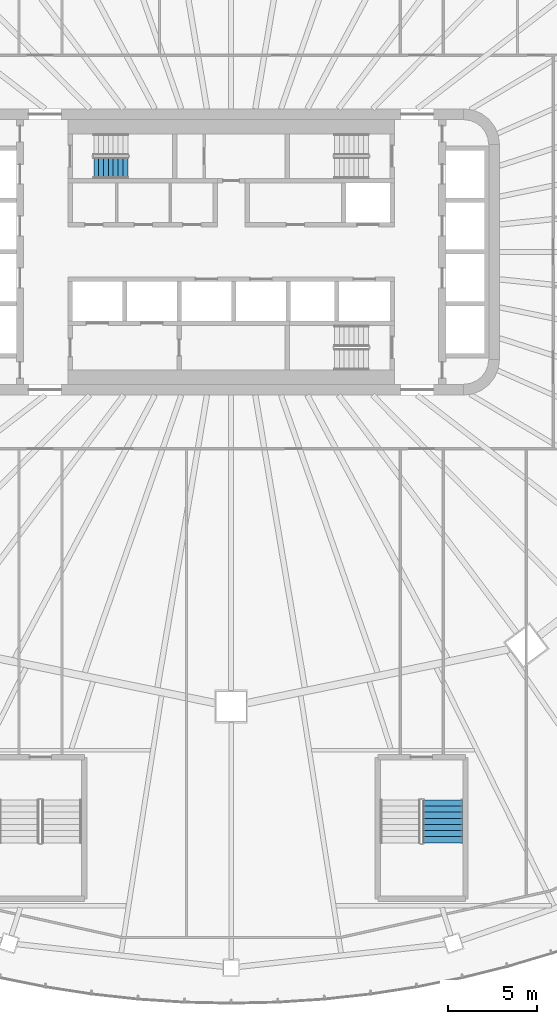
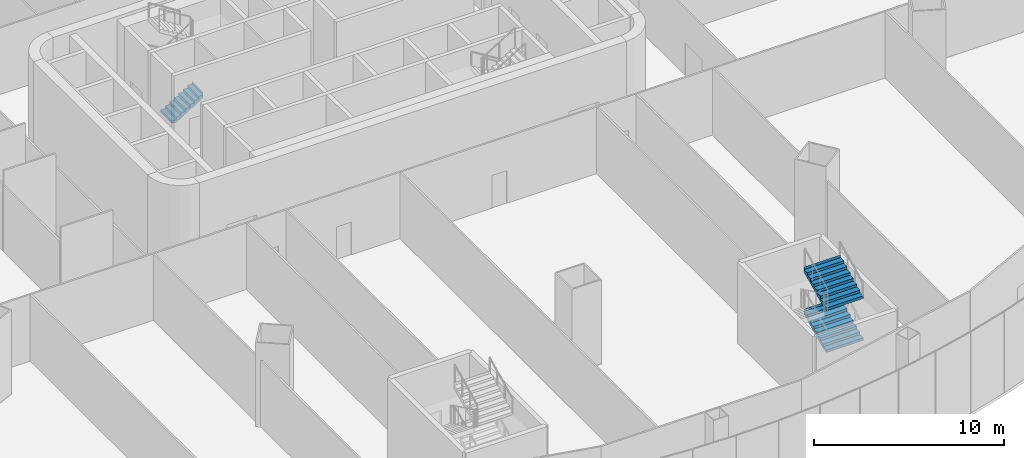
# One storey, part 32 of 42: 3 stair flights, 2 elements without a shape of their own.
"""IFC4 building model written with IfcOpenShell, lengths in metres."""

from ifc_helpers import new_model, si_unit, direction, frame, origin, place, context, subcontext, project, spatial, triangles, material, type_object, element, aggregate, save


model = new_model("IFC4")

# Units and contexts
model_context = context("Model", 3, precision=1e-05, world=origin(), true_north=direction((0.0, 1.0)))
body_context = subcontext(model_context, "Body", "Model", "MODEL_VIEW")
ifc_project = project(units=[si_unit("LENGTHUNIT", "METRE"), si_unit("AREAUNIT", "SQUARE_METRE"), si_unit("VOLUMEUNIT", "CUBIC_METRE"), si_unit("PLANEANGLEUNIT", "RADIAN"), si_unit("MASSUNIT", "GRAM", prefix="KILO")], contexts=[model_context])

# Site, building, storey
site_placement = place(None, origin())
site = spatial("IfcSite", under=ifc_project, at=site_placement, CompositionType="ELEMENT")
building_placement = place(site_placement, origin())
building = spatial("IfcBuilding", under=site, at=building_placement, Name="Sahrelin Media Tower", CompositionType="ELEMENT")
storey_placement = place(building_placement, frame((0.0, 0.0, 26.0)))
storey = spatial("IfcBuildingStorey", under=building, at=storey_placement, Name="L03", CompositionType="ELEMENT", Elevation=26.0)

# Stair, stair flight
ifc_material = material(Name="Concrete C40/50", Category="concrete")
stair_type_1 = type_object("IfcStairType", Name="Exit stair 1200", PredefinedType="HALF_TURN_STAIR", material=ifc_material)
placement = place(storey_placement, origin())
stair_1 = element("IfcStair", 1, at=placement, inside=storey, type_object=stair_type_1, Name="L03 Exit stair ST1", PredefinedType="HALF_TURN_STAIR")
stair_flight_type_1 = type_object("IfcStairFlightType", Name="Stair flight 1200", PredefinedType="STRAIGHT", material=ifc_material)
stair_flight_1_placement = place(storey_placement, frame((-7.675048828125, 4.699951171875, 0.0), z_axis=(0.0, 0.0, 1.0), x_axis=(1.0, 0.0, 0.0)))
stair_flight_1 = element("IfcStairFlight", 2, at=stair_flight_1_placement, type_object=stair_flight_type_1, Name="ST1 flight 1", NumberOfRisers=8, NumberOfTreads=7, PredefinedType="STRAIGHT", RiserHeight=0.16875, TreadLength=0.271428571, context=body_context, shape_type="Tessellation", body=[
    triangles([(0.283935546875, 0.60009765625, 0.0), (0.283935546875, 0.300048828125, 0.0), (0.283935546875, 0.0, 0.0), (0.283935546875, -0.300048828125, 0.0), (0.283935546875, -0.60009765625, 0.0), (1.89990234375, 0.60009765625, 1.004638671875), (1.89990234375, 0.300048828125, 1.004638671875), (1.89990234375, 0.0, 1.004638671875), (1.89990234375, -0.300048828125, 1.004638671875), (1.89990234375, -0.60009765625, 1.004638671875), (1.89990234375, 0.60009765625, 1.35009765625), (1.89990234375, 0.300048828125, 1.35009765625), (1.89990234375, 0.0, 1.35009765625), (1.89990234375, -0.300048828125, 1.35009765625), (1.89990234375, -0.60009765625, 1.35009765625), (1.89794921875, 0.60009765625, 1.35009765625), (1.89794921875, 0.300048828125, 1.35009765625), (1.89794921875, 0.0, 1.35009765625), (1.89794921875, -0.300048828125, 1.35009765625), (1.89794921875, -0.60009765625, 1.35009765625), (1.89794921875, 0.60009765625, 1.18115234375), (1.89794921875, 0.300048828125, 1.18115234375), (1.89794921875, 0.0, 1.18115234375), (1.89794921875, -0.300048828125, 1.18115234375), (1.89794921875, -0.60009765625, 1.18115234375), (1.628662109375, 0.60009765625, 1.18115234375), (1.628662109375, 0.300048828125, 1.18115234375), (1.628662109375, 0.0, 1.18115234375), (1.628662109375, -0.300048828125, 1.18115234375), (1.628662109375, -0.60009765625, 1.18115234375), (1.628662109375, 0.60009765625, 1.012451171875), (1.628662109375, 0.300048828125, 1.012451171875), (1.628662109375, 0.0, 1.012451171875), (1.628662109375, -0.300048828125, 1.012451171875), (1.628662109375, -0.60009765625, 1.012451171875), (1.357177734375, 0.60009765625, 1.012451171875), (1.357177734375, 0.300048828125, 1.012451171875), (1.357177734375, 0.0, 1.012451171875), (1.357177734375, -0.300048828125, 1.012451171875), (1.357177734375, -0.60009765625, 1.012451171875), (1.357177734375, 0.60009765625, 0.84375), (1.357177734375, 0.300048828125, 0.84375), (1.357177734375, 0.0, 0.84375), (1.357177734375, -0.300048828125, 0.84375), (1.357177734375, -0.60009765625, 0.84375), (1.085693359375, 0.60009765625, 0.84375), (1.085693359375, 0.300048828125, 0.84375), (1.085693359375, 0.0, 0.84375), (1.085693359375, -0.300048828125, 0.84375), (1.085693359375, -0.60009765625, 0.84375), (1.085693359375, 0.60009765625, 0.675048828125), (1.085693359375, 0.300048828125, 0.675048828125), (1.085693359375, 0.0, 0.675048828125), (1.085693359375, -0.300048828125, 0.675048828125), (1.085693359375, -0.60009765625, 0.675048828125), (0.814208984375, 0.60009765625, 0.675048828125), (0.814208984375, 0.300048828125, 0.675048828125), (0.814208984375, 0.0, 0.675048828125), (0.814208984375, -0.300048828125, 0.675048828125), (0.814208984375, -0.60009765625, 0.675048828125), (0.814208984375, 0.60009765625, 0.50634765625), (0.814208984375, 0.300048828125, 0.50634765625), (0.814208984375, 0.0, 0.50634765625), (0.814208984375, -0.300048828125, 0.50634765625), (0.814208984375, -0.60009765625, 0.50634765625), (0.54296875, 0.60009765625, 0.50634765625), (0.54296875, 0.300048828125, 0.50634765625), (0.54296875, 0.0, 0.50634765625), (0.54296875, -0.300048828125, 0.50634765625), (0.54296875, -0.60009765625, 0.50634765625), (0.54296875, 0.60009765625, 0.33740234375), (0.54296875, 0.300048828125, 0.33740234375), (0.54296875, 0.0, 0.33740234375), (0.54296875, -0.300048828125, 0.33740234375), (0.54296875, -0.60009765625, 0.33740234375), (0.271484375, 0.60009765625, 0.33740234375), (0.271484375, 0.300048828125, 0.33740234375), (0.271484375, 0.0, 0.33740234375), (0.271484375, -0.300048828125, 0.33740234375), (0.271484375, -0.60009765625, 0.33740234375), (0.271484375, 0.60009765625, 0.168701171875), (0.271484375, 0.300048828125, 0.168701171875), (0.271484375, 0.0, 0.168701171875), (0.271484375, -0.300048828125, 0.168701171875), (0.271484375, -0.60009765625, 0.168701171875), (0.0, 0.60009765625, 0.168701171875), (0.0, 0.300048828125, 0.168701171875), (0.0, 0.0, 0.168701171875), (0.0, -0.300048828125, 0.168701171875), (0.0, -0.60009765625, 0.168701171875), (0.0, 0.60009765625, 0.0), (0.0, 0.300048828125, 0.0), (0.0, 0.0, 0.0), (0.0, -0.300048828125, 0.0), (0.0, -0.60009765625, 0.0)], [[1, 6, 7], [1, 7, 2], [2, 7, 8], [2, 8, 3], [3, 8, 9], [3, 9, 4], [4, 9, 10], [4, 10, 5], [6, 11, 12], [6, 12, 7], [7, 12, 13], [7, 13, 8], [8, 13, 14], [8, 14, 9], [9, 14, 15], [9, 15, 10], [11, 16, 17], [11, 17, 12], [12, 17, 18], [12, 18, 13], [13, 18, 19], [13, 19, 14], [14, 19, 20], [14, 20, 15], [16, 21, 22], [16, 22, 17], [17, 22, 23], [17, 23, 18], [18, 23, 24], [18, 24, 19], [19, 24, 25], [19, 25, 20], [21, 26, 27], [21, 27, 22], [22, 27, 28], [22, 28, 23], [23, 28, 29], [23, 29, 24], [24, 29, 30], [24, 30, 25], [26, 31, 32], [26, 32, 27], [27, 32, 33], [27, 33, 28], [28, 33, 34], [28, 34, 29], [29, 34, 35], [29, 35, 30], [31, 36, 37], [31, 37, 32], [32, 37, 38], [32, 38, 33], [33, 38, 39], [33, 39, 34], [34, 39, 40], [34, 40, 35], [36, 41, 42], [36, 42, 37], [37, 42, 43], [37, 43, 38], [38, 43, 44], [38, 44, 39], [39, 44, 45], [39, 45, 40], [41, 46, 47], [41, 47, 42], [42, 47, 48], [42, 48, 43], [43, 48, 49], [43, 49, 44], [44, 49, 50], [44, 50, 45], [46, 51, 52], [46, 52, 47], [47, 52, 53], [47, 53, 48], [48, 53, 54], [48, 54, 49], [49, 54, 55], [49, 55, 50], [51, 56, 57], [51, 57, 52], [52, 57, 58], [52, 58, 53], [53, 58, 59], [53, 59, 54], [54, 59, 60], [54, 60, 55], [56, 61, 62], [56, 62, 57], [57, 62, 63], [57, 63, 58], [58, 63, 64], [58, 64, 59], [59, 64, 65], [59, 65, 60], [61, 66, 67], [61, 67, 62], [62, 67, 68], [62, 68, 63], [63, 68, 69], [63, 69, 64], [64, 69, 70], [64, 70, 65], [66, 71, 72], [66, 72, 67], [67, 72, 73], [67, 73, 68], [68, 73, 74], [68, 74, 69], [69, 74, 75], [69, 75, 70], [71, 76, 77], [71, 77, 72], [72, 77, 78], [72, 78, 73], [73, 78, 79], [73, 79, 74], [74, 79, 80], [74, 80, 75], [76, 81, 82], [76, 82, 77], [77, 82, 83], [77, 83, 78], [78, 83, 84], [78, 84, 79], [79, 84, 85], [79, 85, 80], [81, 86, 87], [81, 87, 82], [82, 87, 88], [82, 88, 83], [83, 88, 89], [83, 89, 84], [84, 89, 90], [84, 90, 85], [86, 91, 92], [86, 92, 87], [87, 92, 93], [87, 93, 88], [88, 93, 94], [88, 94, 89], [89, 94, 95], [89, 95, 90], [91, 1, 2], [91, 2, 92], [92, 2, 3], [92, 3, 93], [93, 3, 4], [93, 4, 94], [94, 4, 5], [94, 5, 95], [85, 90, 95], [81, 91, 86], [85, 75, 80], [81, 76, 71], [75, 65, 70], [71, 66, 61], [65, 55, 60], [61, 56, 51], [55, 45, 50], [51, 46, 41], [45, 35, 40], [41, 36, 31], [35, 25, 30], [31, 26, 21], [25, 15, 20], [21, 16, 11], [95, 5, 85], [91, 81, 1], [5, 55, 65], [1, 61, 51], [25, 10, 15], [21, 11, 6], [75, 85, 5], [71, 1, 81], [10, 45, 55], [6, 51, 41], [35, 10, 25], [31, 21, 6], [65, 75, 5], [61, 1, 71], [45, 10, 35], [41, 31, 6], [5, 10, 55], [1, 51, 6]], closed=True),
])
aggregate(stair_1, [stair_flight_1])

# Stair, stair flights
stair_type_2 = type_object("IfcStairType", Name="Podium stair 2225", PredefinedType="HALF_TURN_STAIR", material=ifc_material)
stair_2 = element("IfcStair", 3, at=placement, inside=storey, type_object=stair_type_2, Name="L03 Podium stair PS4", PredefinedType="HALF_TURN_STAIR")
stair_flight_type_2 = type_object("IfcStairFlightType", Name="Stair flight 2225", PredefinedType="STRAIGHT", material=ifc_material)
stair_flight_2_placement = place(storey_placement, frame((11.83740234375, -33.02490234375, 1.35009765625), z_axis=(0.0, 0.0, 1.0), x_axis=(0.0, 1.0, 0.0)))
stair_flight_2 = element("IfcStairFlight", 4, at=stair_flight_2_placement, type_object=stair_flight_type_2, Name="PS4 flight 2", NumberOfRisers=8, NumberOfTreads=7, PredefinedType="STRAIGHT", RiserHeight=0.16875, TreadLength=0.342857143, context=body_context, shape_type="Tessellation", body=[
    triangles([(0.33935546875, 1.112548828125, 0.0), (0.33935546875, 0.794677734375, 0.0), (0.33935546875, 0.476806640625, 0.0), (0.33935546875, 0.158935546875, 0.0), (0.33935546875, -0.158935546875, 0.0), (0.33935546875, -0.476806640625, 0.0), (0.33935546875, -0.794677734375, 0.0), (0.33935546875, -1.112548828125, 0.0), (2.39990234375, 1.112548828125, 1.01416015625), (2.39990234375, 0.794677734375, 1.01416015625), (2.39990234375, 0.476806640625, 1.01416015625), (2.39990234375, 0.158935546875, 1.01416015625), (2.39990234375, -0.158935546875, 1.01416015625), (2.39990234375, -0.476806640625, 1.01416015625), (2.39990234375, -0.794677734375, 1.01416015625), (2.39990234375, -1.112548828125, 1.01416015625), (2.39990234375, 1.112548828125, 1.35009765625), (2.39990234375, 0.794677734375, 1.35009765625), (2.39990234375, 0.476806640625, 1.35009765625), (2.39990234375, 0.158935546875, 1.35009765625), (2.39990234375, -0.158935546875, 1.35009765625), (2.39990234375, -0.476806640625, 1.35009765625), (2.39990234375, -0.794677734375, 1.35009765625), (2.39990234375, -1.112548828125, 1.35009765625), (2.39794921875, 1.112548828125, 1.35009765625), (2.39794921875, 0.794677734375, 1.35009765625), (2.39794921875, 0.476806640625, 1.35009765625), (2.39794921875, 0.158935546875, 1.35009765625), (2.39794921875, -0.158935546875, 1.35009765625), (2.39794921875, -0.476806640625, 1.35009765625), (2.39794921875, -0.794677734375, 1.35009765625), (2.39794921875, -1.112548828125, 1.35009765625), (2.39794921875, 1.112548828125, 1.18115234375), (2.39794921875, 0.794677734375, 1.18115234375), (2.39794921875, 0.476806640625, 1.18115234375), (2.39794921875, 0.158935546875, 1.18115234375), (2.39794921875, -0.158935546875, 1.18115234375), (2.39794921875, -0.476806640625, 1.18115234375), (2.39794921875, -0.794677734375, 1.18115234375), (2.39794921875, -1.112548828125, 1.18115234375), (2.05712890625, 1.112548828125, 1.18115234375), (2.05712890625, 0.794677734375, 1.18115234375), (2.05712890625, 0.476806640625, 1.18115234375), (2.05712890625, 0.158935546875, 1.18115234375), (2.05712890625, -0.158935546875, 1.18115234375), (2.05712890625, -0.476806640625, 1.18115234375), (2.05712890625, -0.794677734375, 1.18115234375), (2.05712890625, -1.112548828125, 1.18115234375), (2.05712890625, 1.112548828125, 1.012451171875), (2.05712890625, 0.794677734375, 1.012451171875), (2.05712890625, 0.476806640625, 1.012451171875), (2.05712890625, 0.158935546875, 1.012451171875), (2.05712890625, -0.158935546875, 1.012451171875), (2.05712890625, -0.476806640625, 1.012451171875), (2.05712890625, -0.794677734375, 1.012451171875), (2.05712890625, -1.112548828125, 1.012451171875), (1.71435546875, 1.112548828125, 1.012451171875), (1.71435546875, 0.794677734375, 1.012451171875), (1.71435546875, 0.476806640625, 1.012451171875), (1.71435546875, 0.158935546875, 1.012451171875), (1.71435546875, -0.158935546875, 1.012451171875), (1.71435546875, -0.476806640625, 1.012451171875), (1.71435546875, -0.794677734375, 1.012451171875), (1.71435546875, -1.112548828125, 1.012451171875), (1.71435546875, 1.112548828125, 0.84375), (1.71435546875, 0.794677734375, 0.84375), (1.71435546875, 0.476806640625, 0.84375), (1.71435546875, 0.158935546875, 0.84375), (1.71435546875, -0.158935546875, 0.84375), (1.71435546875, -0.476806640625, 0.84375), (1.71435546875, -0.794677734375, 0.84375), (1.71435546875, -1.112548828125, 0.84375), (1.371337890625, 1.112548828125, 0.84375), (1.371337890625, 0.794677734375, 0.84375), (1.371337890625, 0.476806640625, 0.84375), (1.371337890625, 0.158935546875, 0.84375), (1.371337890625, -0.158935546875, 0.84375), (1.371337890625, -0.476806640625, 0.84375), (1.371337890625, -0.794677734375, 0.84375), (1.371337890625, -1.112548828125, 0.84375), (1.371337890625, 1.112548828125, 0.675048828125), (1.371337890625, 0.794677734375, 0.675048828125), (1.371337890625, 0.476806640625, 0.675048828125), (1.371337890625, 0.158935546875, 0.675048828125), (1.371337890625, -0.158935546875, 0.675048828125), (1.371337890625, -0.476806640625, 0.675048828125), (1.371337890625, -0.794677734375, 0.675048828125), (1.371337890625, -1.112548828125, 0.675048828125), (1.028564453125, 1.112548828125, 0.675048828125), (1.028564453125, 0.794677734375, 0.675048828125), (1.028564453125, 0.476806640625, 0.675048828125), (1.028564453125, 0.158935546875, 0.675048828125), (1.028564453125, -0.158935546875, 0.675048828125), (1.028564453125, -0.476806640625, 0.675048828125), (1.028564453125, -0.794677734375, 0.675048828125), (1.028564453125, -1.112548828125, 0.675048828125), (1.028564453125, 1.112548828125, 0.50634765625), (1.028564453125, 0.794677734375, 0.50634765625), (1.028564453125, 0.476806640625, 0.50634765625), (1.028564453125, 0.158935546875, 0.50634765625), (1.028564453125, -0.158935546875, 0.50634765625), (1.028564453125, -0.476806640625, 0.50634765625), (1.028564453125, -0.794677734375, 0.50634765625), (1.028564453125, -1.112548828125, 0.50634765625), (0.685791015625, 1.112548828125, 0.50634765625), (0.685791015625, 0.794677734375, 0.50634765625), (0.685791015625, 0.476806640625, 0.50634765625), (0.685791015625, 0.158935546875, 0.50634765625), (0.685791015625, -0.158935546875, 0.50634765625), (0.685791015625, -0.476806640625, 0.50634765625), (0.685791015625, -0.794677734375, 0.50634765625), (0.685791015625, -1.112548828125, 0.50634765625), (0.685791015625, 1.112548828125, 0.33740234375), (0.685791015625, 0.794677734375, 0.33740234375), (0.685791015625, 0.476806640625, 0.33740234375), (0.685791015625, 0.158935546875, 0.33740234375), (0.685791015625, -0.158935546875, 0.33740234375), (0.685791015625, -0.476806640625, 0.33740234375), (0.685791015625, -0.794677734375, 0.33740234375), (0.685791015625, -1.112548828125, 0.33740234375), (0.3427734375, 1.112548828125, 0.33740234375), (0.3427734375, 0.794677734375, 0.33740234375), (0.3427734375, 0.476806640625, 0.33740234375), (0.3427734375, 0.158935546875, 0.33740234375), (0.3427734375, -0.158935546875, 0.33740234375), (0.3427734375, -0.476806640625, 0.33740234375), (0.3427734375, -0.794677734375, 0.33740234375), (0.3427734375, -1.112548828125, 0.33740234375), (0.3427734375, 1.112548828125, 0.168701171875), (0.3427734375, 0.794677734375, 0.168701171875), (0.3427734375, 0.476806640625, 0.168701171875), (0.3427734375, 0.158935546875, 0.168701171875), (0.3427734375, -0.158935546875, 0.168701171875), (0.3427734375, -0.476806640625, 0.168701171875), (0.3427734375, -0.794677734375, 0.168701171875), (0.3427734375, -1.112548828125, 0.168701171875), (0.0, 1.112548828125, 0.168701171875), (0.0, 0.794677734375, 0.168701171875), (0.0, 0.476806640625, 0.168701171875), (0.0, 0.158935546875, 0.168701171875), (0.0, -0.158935546875, 0.168701171875), (0.0, -0.476806640625, 0.168701171875), (0.0, -0.794677734375, 0.168701171875), (0.0, -1.112548828125, 0.168701171875), (0.0, 1.112548828125, 0.0), (0.0, 0.794677734375, 0.0), (0.0, 0.476806640625, 0.0), (0.0, 0.158935546875, 0.0), (0.0, -0.158935546875, 0.0), (0.0, -0.476806640625, 0.0), (0.0, -0.794677734375, 0.0), (0.0, -1.112548828125, 0.0)], [[1, 9, 10], [1, 10, 2], [2, 10, 11], [2, 11, 3], [3, 11, 12], [3, 12, 4], [4, 12, 13], [4, 13, 5], [5, 13, 14], [5, 14, 6], [6, 14, 15], [6, 15, 7], [7, 15, 16], [7, 16, 8], [9, 17, 18], [9, 18, 10], [10, 18, 19], [10, 19, 11], [11, 19, 20], [11, 20, 12], [12, 20, 21], [12, 21, 13], [13, 21, 22], [13, 22, 14], [14, 22, 23], [14, 23, 15], [15, 23, 24], [15, 24, 16], [17, 25, 26], [17, 26, 18], [18, 26, 27], [18, 27, 19], [19, 27, 28], [19, 28, 20], [20, 28, 29], [20, 29, 21], [21, 29, 30], [21, 30, 22], [22, 30, 31], [22, 31, 23], [23, 31, 32], [23, 32, 24], [25, 33, 34], [25, 34, 26], [26, 34, 35], [26, 35, 27], [27, 35, 36], [27, 36, 28], [28, 36, 37], [28, 37, 29], [29, 37, 38], [29, 38, 30], [30, 38, 39], [30, 39, 31], [31, 39, 40], [31, 40, 32], [33, 41, 42], [33, 42, 34], [34, 42, 43], [34, 43, 35], [35, 43, 44], [35, 44, 36], [36, 44, 45], [36, 45, 37], [37, 45, 46], [37, 46, 38], [38, 46, 47], [38, 47, 39], [39, 47, 48], [39, 48, 40], [41, 49, 50], [41, 50, 42], [42, 50, 51], [42, 51, 43], [43, 51, 52], [43, 52, 44], [44, 52, 53], [44, 53, 45], [45, 53, 54], [45, 54, 46], [46, 54, 55], [46, 55, 47], [47, 55, 56], [47, 56, 48], [49, 57, 58], [49, 58, 50], [50, 58, 59], [50, 59, 51], [51, 59, 60], [51, 60, 52], [52, 60, 61], [52, 61, 53], [53, 61, 62], [53, 62, 54], [54, 62, 63], [54, 63, 55], [55, 63, 64], [55, 64, 56], [57, 65, 66], [57, 66, 58], [58, 66, 67], [58, 67, 59], [59, 67, 68], [59, 68, 60], [60, 68, 69], [60, 69, 61], [61, 69, 70], [61, 70, 62], [62, 70, 71], [62, 71, 63], [63, 71, 72], [63, 72, 64], [65, 73, 74], [65, 74, 66], [66, 74, 75], [66, 75, 67], [67, 75, 76], [67, 76, 68], [68, 76, 77], [68, 77, 69], [69, 77, 78], [69, 78, 70], [70, 78, 79], [70, 79, 71], [71, 79, 80], [71, 80, 72], [73, 81, 82], [73, 82, 74], [74, 82, 83], [74, 83, 75], [75, 83, 84], [75, 84, 76], [76, 84, 85], [76, 85, 77], [77, 85, 86], [77, 86, 78], [78, 86, 87], [78, 87, 79], [79, 87, 88], [79, 88, 80], [81, 89, 90], [81, 90, 82], [82, 90, 91], [82, 91, 83], [83, 91, 92], [83, 92, 84], [84, 92, 93], [84, 93, 85], [85, 93, 94], [85, 94, 86], [86, 94, 95], [86, 95, 87], [87, 95, 96], [87, 96, 88], [89, 97, 98], [89, 98, 90], [90, 98, 99], [90, 99, 91], [91, 99, 100], [91, 100, 92], [92, 100, 101], [92, 101, 93], [93, 101, 102], [93, 102, 94], [94, 102, 103], [94, 103, 95], [95, 103, 104], [95, 104, 96], [97, 105, 106], [97, 106, 98], [98, 106, 107], [98, 107, 99], [99, 107, 108], [99, 108, 100], [100, 108, 109], [100, 109, 101], [101, 109, 110], [101, 110, 102], [102, 110, 111], [102, 111, 103], [103, 111, 112], [103, 112, 104], [105, 113, 114], [105, 114, 106], [106, 114, 115], [106, 115, 107], [107, 115, 116], [107, 116, 108], [108, 116, 117], [108, 117, 109], [109, 117, 118], [109, 118, 110], [110, 118, 119], [110, 119, 111], [111, 119, 120], [111, 120, 112], [113, 121, 122], [113, 122, 114], [114, 122, 123], [114, 123, 115], [115, 123, 124], [115, 124, 116], [116, 124, 125], [116, 125, 117], [117, 125, 126], [117, 126, 118], [118, 126, 127], [118, 127, 119], [119, 127, 128], [119, 128, 120], [121, 129, 130], [121, 130, 122], [122, 130, 131], [122, 131, 123], [123, 131, 132], [123, 132, 124], [124, 132, 133], [124, 133, 125], [125, 133, 134], [125, 134, 126], [126, 134, 135], [126, 135, 127], [127, 135, 136], [127, 136, 128], [129, 137, 138], [129, 138, 130], [130, 138, 139], [130, 139, 131], [131, 139, 140], [131, 140, 132], [132, 140, 141], [132, 141, 133], [133, 141, 142], [133, 142, 134], [134, 142, 143], [134, 143, 135], [135, 143, 144], [135, 144, 136], [137, 145, 146], [137, 146, 138], [138, 146, 147], [138, 147, 139], [139, 147, 148], [139, 148, 140], [140, 148, 149], [140, 149, 141], [141, 149, 150], [141, 150, 142], [142, 150, 151], [142, 151, 143], [143, 151, 152], [143, 152, 144], [145, 1, 2], [145, 2, 146], [146, 2, 3], [146, 3, 147], [147, 3, 4], [147, 4, 148], [148, 4, 5], [148, 5, 149], [149, 5, 6], [149, 6, 150], [150, 6, 7], [150, 7, 151], [151, 7, 8], [151, 8, 152], [8, 144, 152], [1, 145, 137], [136, 120, 128], [129, 121, 113], [120, 104, 112], [113, 105, 97], [104, 88, 96], [97, 89, 81], [88, 72, 80], [81, 73, 65], [72, 56, 64], [65, 57, 49], [56, 40, 48], [49, 41, 33], [40, 24, 32], [33, 25, 17], [8, 136, 144], [1, 137, 129], [8, 88, 104], [1, 97, 81], [40, 16, 24], [33, 17, 9], [120, 136, 8], [113, 1, 129], [16, 72, 88], [9, 81, 65], [56, 16, 40], [49, 33, 9], [104, 120, 8], [97, 1, 113], [72, 16, 56], [65, 49, 9], [8, 16, 88], [1, 81, 9]], closed=True),
])
stair_flight_3_placement = place(storey_placement, frame((11.83740234375, -33.02490234375, 4.050048828125), z_axis=(0.0, 0.0, 1.0), x_axis=(0.0, 1.0, 0.0)))
stair_flight_3 = element("IfcStairFlight", 5, at=stair_flight_3_placement, type_object=stair_flight_type_2, Name="PS4 flight 4", NumberOfRisers=8, NumberOfTreads=7, PredefinedType="STRAIGHT", RiserHeight=0.16875, TreadLength=0.342857143, context=body_context, shape_type="Tessellation", body=[
    triangles([(0.33935546875, 1.112548828125, 0.0), (0.33935546875, 0.794677734375, 0.0), (0.33935546875, 0.476806640625, 0.0), (0.33935546875, 0.158935546875, 0.0), (0.33935546875, -0.158935546875, 0.0), (0.33935546875, -0.476806640625, 0.0), (0.33935546875, -0.794677734375, 0.0), (0.33935546875, -1.112548828125, 0.0), (2.39990234375, 1.112548828125, 1.01416015625), (2.39990234375, 0.794677734375, 1.01416015625), (2.39990234375, 0.476806640625, 1.01416015625), (2.39990234375, 0.158935546875, 1.01416015625), (2.39990234375, -0.158935546875, 1.01416015625), (2.39990234375, -0.476806640625, 1.01416015625), (2.39990234375, -0.794677734375, 1.01416015625), (2.39990234375, -1.112548828125, 1.01416015625), (2.39990234375, 1.112548828125, 1.35009765625), (2.39990234375, 0.794677734375, 1.35009765625), (2.39990234375, 0.476806640625, 1.35009765625), (2.39990234375, 0.158935546875, 1.35009765625), (2.39990234375, -0.158935546875, 1.35009765625), (2.39990234375, -0.476806640625, 1.35009765625), (2.39990234375, -0.794677734375, 1.35009765625), (2.39990234375, -1.112548828125, 1.35009765625), (2.39794921875, 1.112548828125, 1.35009765625), (2.39794921875, 0.794677734375, 1.35009765625), (2.39794921875, 0.476806640625, 1.35009765625), (2.39794921875, 0.158935546875, 1.35009765625), (2.39794921875, -0.158935546875, 1.35009765625), (2.39794921875, -0.476806640625, 1.35009765625), (2.39794921875, -0.794677734375, 1.35009765625), (2.39794921875, -1.112548828125, 1.35009765625), (2.39794921875, 1.112548828125, 1.18115234375), (2.39794921875, 0.794677734375, 1.18115234375), (2.39794921875, 0.476806640625, 1.18115234375), (2.39794921875, 0.158935546875, 1.18115234375), (2.39794921875, -0.158935546875, 1.18115234375), (2.39794921875, -0.476806640625, 1.18115234375), (2.39794921875, -0.794677734375, 1.18115234375), (2.39794921875, -1.112548828125, 1.18115234375), (2.05712890625, 1.112548828125, 1.18115234375), (2.05712890625, 0.794677734375, 1.18115234375), (2.05712890625, 0.476806640625, 1.18115234375), (2.05712890625, 0.158935546875, 1.18115234375), (2.05712890625, -0.158935546875, 1.18115234375), (2.05712890625, -0.476806640625, 1.18115234375), (2.05712890625, -0.794677734375, 1.18115234375), (2.05712890625, -1.112548828125, 1.18115234375), (2.05712890625, 1.112548828125, 1.012451171875), (2.05712890625, 0.794677734375, 1.012451171875), (2.05712890625, 0.476806640625, 1.012451171875), (2.05712890625, 0.158935546875, 1.012451171875), (2.05712890625, -0.158935546875, 1.012451171875), (2.05712890625, -0.476806640625, 1.012451171875), (2.05712890625, -0.794677734375, 1.012451171875), (2.05712890625, -1.112548828125, 1.012451171875), (1.71435546875, 1.112548828125, 1.012451171875), (1.71435546875, 0.794677734375, 1.012451171875), (1.71435546875, 0.476806640625, 1.012451171875), (1.71435546875, 0.158935546875, 1.012451171875), (1.71435546875, -0.158935546875, 1.012451171875), (1.71435546875, -0.476806640625, 1.012451171875), (1.71435546875, -0.794677734375, 1.012451171875), (1.71435546875, -1.112548828125, 1.012451171875), (1.71435546875, 1.112548828125, 0.84375), (1.71435546875, 0.794677734375, 0.84375), (1.71435546875, 0.476806640625, 0.84375), (1.71435546875, 0.158935546875, 0.84375), (1.71435546875, -0.158935546875, 0.84375), (1.71435546875, -0.476806640625, 0.84375), (1.71435546875, -0.794677734375, 0.84375), (1.71435546875, -1.112548828125, 0.84375), (1.371337890625, 1.112548828125, 0.84375), (1.371337890625, 0.794677734375, 0.84375), (1.371337890625, 0.476806640625, 0.84375), (1.371337890625, 0.158935546875, 0.84375), (1.371337890625, -0.158935546875, 0.84375), (1.371337890625, -0.476806640625, 0.84375), (1.371337890625, -0.794677734375, 0.84375), (1.371337890625, -1.112548828125, 0.84375), (1.371337890625, 1.112548828125, 0.675048828125), (1.371337890625, 0.794677734375, 0.675048828125), (1.371337890625, 0.476806640625, 0.675048828125), (1.371337890625, 0.158935546875, 0.675048828125), (1.371337890625, -0.158935546875, 0.675048828125), (1.371337890625, -0.476806640625, 0.675048828125), (1.371337890625, -0.794677734375, 0.675048828125), (1.371337890625, -1.112548828125, 0.675048828125), (1.028564453125, 1.112548828125, 0.675048828125), (1.028564453125, 0.794677734375, 0.675048828125), (1.028564453125, 0.476806640625, 0.675048828125), (1.028564453125, 0.158935546875, 0.675048828125), (1.028564453125, -0.158935546875, 0.675048828125), (1.028564453125, -0.476806640625, 0.675048828125), (1.028564453125, -0.794677734375, 0.675048828125), (1.028564453125, -1.112548828125, 0.675048828125), (1.028564453125, 1.112548828125, 0.50634765625), (1.028564453125, 0.794677734375, 0.50634765625), (1.028564453125, 0.476806640625, 0.50634765625), (1.028564453125, 0.158935546875, 0.50634765625), (1.028564453125, -0.158935546875, 0.50634765625), (1.028564453125, -0.476806640625, 0.50634765625), (1.028564453125, -0.794677734375, 0.50634765625), (1.028564453125, -1.112548828125, 0.50634765625), (0.685791015625, 1.112548828125, 0.50634765625), (0.685791015625, 0.794677734375, 0.50634765625), (0.685791015625, 0.476806640625, 0.50634765625), (0.685791015625, 0.158935546875, 0.50634765625), (0.685791015625, -0.158935546875, 0.50634765625), (0.685791015625, -0.476806640625, 0.50634765625), (0.685791015625, -0.794677734375, 0.50634765625), (0.685791015625, -1.112548828125, 0.50634765625), (0.685791015625, 1.112548828125, 0.33740234375), (0.685791015625, 0.794677734375, 0.33740234375), (0.685791015625, 0.476806640625, 0.33740234375), (0.685791015625, 0.158935546875, 0.33740234375), (0.685791015625, -0.158935546875, 0.33740234375), (0.685791015625, -0.476806640625, 0.33740234375), (0.685791015625, -0.794677734375, 0.33740234375), (0.685791015625, -1.112548828125, 0.33740234375), (0.3427734375, 1.112548828125, 0.33740234375), (0.3427734375, 0.794677734375, 0.33740234375), (0.3427734375, 0.476806640625, 0.33740234375), (0.3427734375, 0.158935546875, 0.33740234375), (0.3427734375, -0.158935546875, 0.33740234375), (0.3427734375, -0.476806640625, 0.33740234375), (0.3427734375, -0.794677734375, 0.33740234375), (0.3427734375, -1.112548828125, 0.33740234375), (0.3427734375, 1.112548828125, 0.168701171875), (0.3427734375, 0.794677734375, 0.168701171875), (0.3427734375, 0.476806640625, 0.168701171875), (0.3427734375, 0.158935546875, 0.168701171875), (0.3427734375, -0.158935546875, 0.168701171875), (0.3427734375, -0.476806640625, 0.168701171875), (0.3427734375, -0.794677734375, 0.168701171875), (0.3427734375, -1.112548828125, 0.168701171875), (0.0, 1.112548828125, 0.168701171875), (0.0, 0.794677734375, 0.168701171875), (0.0, 0.476806640625, 0.168701171875), (0.0, 0.158935546875, 0.168701171875), (0.0, -0.158935546875, 0.168701171875), (0.0, -0.476806640625, 0.168701171875), (0.0, -0.794677734375, 0.168701171875), (0.0, -1.112548828125, 0.168701171875), (0.0, 1.112548828125, 0.0), (0.0, 0.794677734375, 0.0), (0.0, 0.476806640625, 0.0), (0.0, 0.158935546875, 0.0), (0.0, -0.158935546875, 0.0), (0.0, -0.476806640625, 0.0), (0.0, -0.794677734375, 0.0), (0.0, -1.112548828125, 0.0)], [[1, 9, 10], [1, 10, 2], [2, 10, 11], [2, 11, 3], [3, 11, 12], [3, 12, 4], [4, 12, 13], [4, 13, 5], [5, 13, 14], [5, 14, 6], [6, 14, 15], [6, 15, 7], [7, 15, 16], [7, 16, 8], [9, 17, 18], [9, 18, 10], [10, 18, 19], [10, 19, 11], [11, 19, 20], [11, 20, 12], [12, 20, 21], [12, 21, 13], [13, 21, 22], [13, 22, 14], [14, 22, 23], [14, 23, 15], [15, 23, 24], [15, 24, 16], [17, 25, 26], [17, 26, 18], [18, 26, 27], [18, 27, 19], [19, 27, 28], [19, 28, 20], [20, 28, 29], [20, 29, 21], [21, 29, 30], [21, 30, 22], [22, 30, 31], [22, 31, 23], [23, 31, 32], [23, 32, 24], [25, 33, 34], [25, 34, 26], [26, 34, 35], [26, 35, 27], [27, 35, 36], [27, 36, 28], [28, 36, 37], [28, 37, 29], [29, 37, 38], [29, 38, 30], [30, 38, 39], [30, 39, 31], [31, 39, 40], [31, 40, 32], [33, 41, 42], [33, 42, 34], [34, 42, 43], [34, 43, 35], [35, 43, 44], [35, 44, 36], [36, 44, 45], [36, 45, 37], [37, 45, 46], [37, 46, 38], [38, 46, 47], [38, 47, 39], [39, 47, 48], [39, 48, 40], [41, 49, 50], [41, 50, 42], [42, 50, 51], [42, 51, 43], [43, 51, 52], [43, 52, 44], [44, 52, 53], [44, 53, 45], [45, 53, 54], [45, 54, 46], [46, 54, 55], [46, 55, 47], [47, 55, 56], [47, 56, 48], [49, 57, 58], [49, 58, 50], [50, 58, 59], [50, 59, 51], [51, 59, 60], [51, 60, 52], [52, 60, 61], [52, 61, 53], [53, 61, 62], [53, 62, 54], [54, 62, 63], [54, 63, 55], [55, 63, 64], [55, 64, 56], [57, 65, 66], [57, 66, 58], [58, 66, 67], [58, 67, 59], [59, 67, 68], [59, 68, 60], [60, 68, 69], [60, 69, 61], [61, 69, 70], [61, 70, 62], [62, 70, 71], [62, 71, 63], [63, 71, 72], [63, 72, 64], [65, 73, 74], [65, 74, 66], [66, 74, 75], [66, 75, 67], [67, 75, 76], [67, 76, 68], [68, 76, 77], [68, 77, 69], [69, 77, 78], [69, 78, 70], [70, 78, 79], [70, 79, 71], [71, 79, 80], [71, 80, 72], [73, 81, 82], [73, 82, 74], [74, 82, 83], [74, 83, 75], [75, 83, 84], [75, 84, 76], [76, 84, 85], [76, 85, 77], [77, 85, 86], [77, 86, 78], [78, 86, 87], [78, 87, 79], [79, 87, 88], [79, 88, 80], [81, 89, 90], [81, 90, 82], [82, 90, 91], [82, 91, 83], [83, 91, 92], [83, 92, 84], [84, 92, 93], [84, 93, 85], [85, 93, 94], [85, 94, 86], [86, 94, 95], [86, 95, 87], [87, 95, 96], [87, 96, 88], [89, 97, 98], [89, 98, 90], [90, 98, 99], [90, 99, 91], [91, 99, 100], [91, 100, 92], [92, 100, 101], [92, 101, 93], [93, 101, 102], [93, 102, 94], [94, 102, 103], [94, 103, 95], [95, 103, 104], [95, 104, 96], [97, 105, 106], [97, 106, 98], [98, 106, 107], [98, 107, 99], [99, 107, 108], [99, 108, 100], [100, 108, 109], [100, 109, 101], [101, 109, 110], [101, 110, 102], [102, 110, 111], [102, 111, 103], [103, 111, 112], [103, 112, 104], [105, 113, 114], [105, 114, 106], [106, 114, 115], [106, 115, 107], [107, 115, 116], [107, 116, 108], [108, 116, 117], [108, 117, 109], [109, 117, 118], [109, 118, 110], [110, 118, 119], [110, 119, 111], [111, 119, 120], [111, 120, 112], [113, 121, 122], [113, 122, 114], [114, 122, 123], [114, 123, 115], [115, 123, 124], [115, 124, 116], [116, 124, 125], [116, 125, 117], [117, 125, 126], [117, 126, 118], [118, 126, 127], [118, 127, 119], [119, 127, 128], [119, 128, 120], [121, 129, 130], [121, 130, 122], [122, 130, 131], [122, 131, 123], [123, 131, 132], [123, 132, 124], [124, 132, 133], [124, 133, 125], [125, 133, 134], [125, 134, 126], [126, 134, 135], [126, 135, 127], [127, 135, 136], [127, 136, 128], [129, 137, 138], [129, 138, 130], [130, 138, 139], [130, 139, 131], [131, 139, 140], [131, 140, 132], [132, 140, 141], [132, 141, 133], [133, 141, 142], [133, 142, 134], [134, 142, 143], [134, 143, 135], [135, 143, 144], [135, 144, 136], [137, 145, 146], [137, 146, 138], [138, 146, 147], [138, 147, 139], [139, 147, 148], [139, 148, 140], [140, 148, 149], [140, 149, 141], [141, 149, 150], [141, 150, 142], [142, 150, 151], [142, 151, 143], [143, 151, 152], [143, 152, 144], [145, 1, 2], [145, 2, 146], [146, 2, 3], [146, 3, 147], [147, 3, 4], [147, 4, 148], [148, 4, 5], [148, 5, 149], [149, 5, 6], [149, 6, 150], [150, 6, 7], [150, 7, 151], [151, 7, 8], [151, 8, 152], [8, 144, 152], [1, 145, 137], [136, 120, 128], [129, 121, 113], [120, 104, 112], [113, 105, 97], [104, 88, 96], [97, 89, 81], [88, 72, 80], [81, 73, 65], [72, 56, 64], [65, 57, 49], [56, 40, 48], [49, 41, 33], [40, 24, 32], [33, 25, 17], [8, 136, 144], [1, 137, 129], [8, 88, 104], [1, 97, 81], [40, 16, 24], [33, 17, 9], [120, 136, 8], [113, 1, 129], [16, 72, 88], [9, 81, 65], [56, 16, 40], [49, 33, 9], [104, 120, 8], [97, 1, 113], [72, 16, 56], [65, 49, 9], [8, 16, 88], [1, 81, 9]], closed=True),
])
aggregate(stair_2, [stair_flight_2, stair_flight_3])

save(model, "model.ifc")
